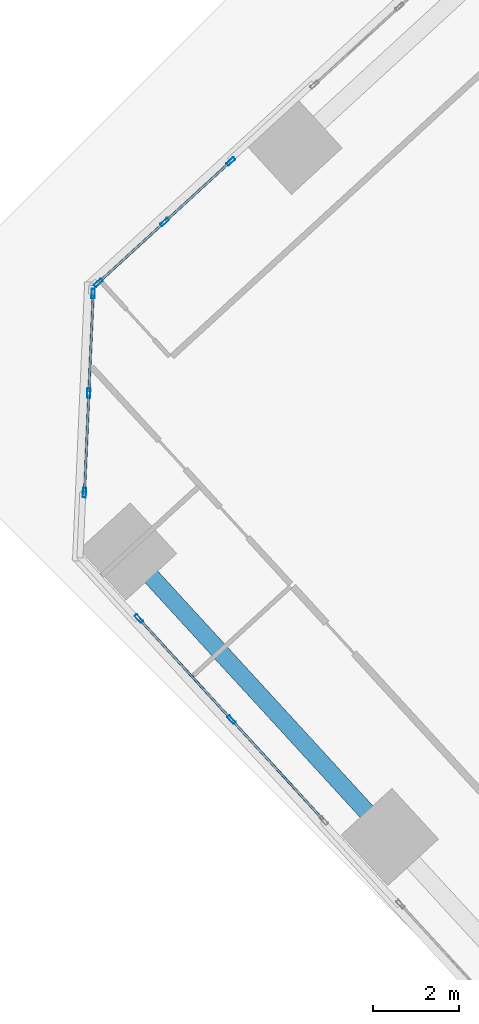
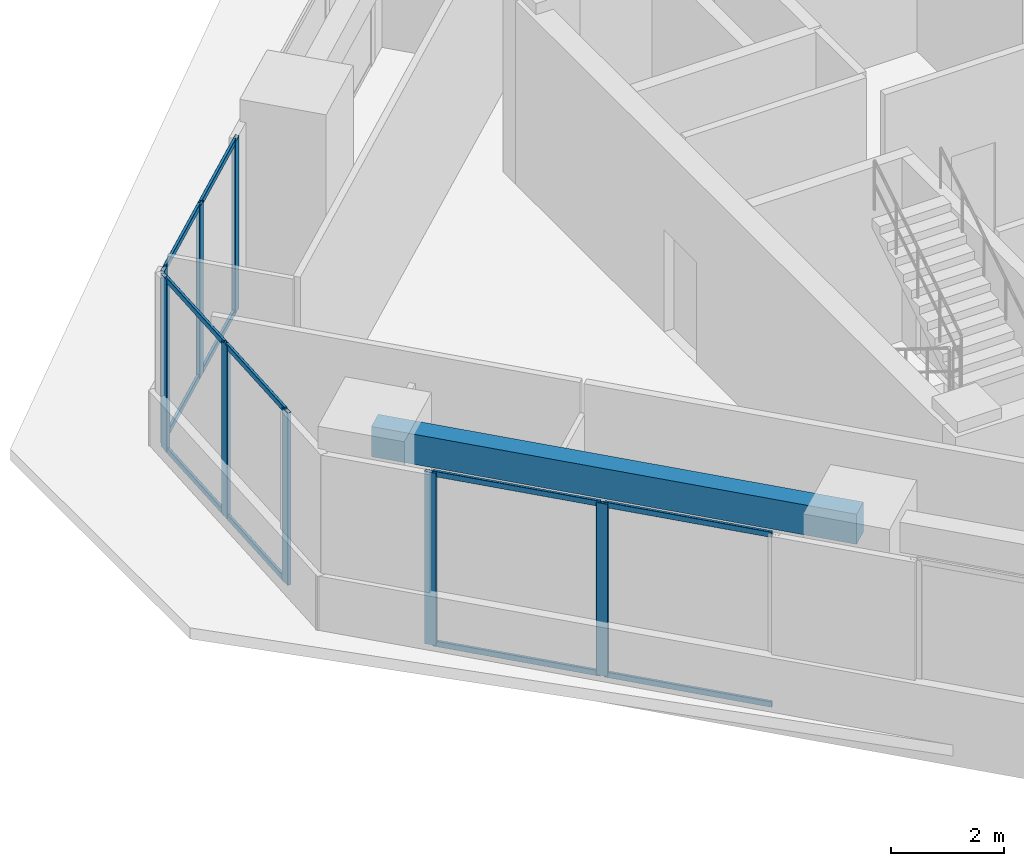
# One storey, part 4 of 17: 20 members, 1 beam, 3 elements without a shape of their own.
"""IFC4 building model written with IfcOpenShell, lengths in metres."""

import ifcopenshell
import ifcopenshell.guid

model = None  # the IFC model being written
_history = None  # IfcOwnerHistory: only IFC2X3 demands one
_inside = {}  # id of a spatial element -> (the spatial element, [elements in it])
_under = {}  # id of a project, library or spatial element -> (it, [spatial elements below it])
_declared = {}  # id of a project -> (the project, [libraries it declares])
_typed = {}  # id of a type object -> (the type object, [elements of that type])
_made_of = {}  # id of a material, layer set ... -> (it, [elements and type objects made of it])


def new_model(schema):
    """Start an empty IFC model of exactly this schema.

    Asked for "IFC4X3", IfcOpenShell would pick the latest addendum, in which some entities
    have other attributes; the version numbers below select the first issue.
    IFC2X3 requires an IfcOwnerHistory on every rooted entity: one is made here for all.
    """
    global model, _history
    if schema == "IFC4X3":
        model = ifcopenshell.file(schema_version=(4, 3, 0, 0))
    else:
        model = ifcopenshell.file(schema=schema)
    _inside.clear()
    _under.clear()
    _declared.clear()
    _typed.clear()
    _made_of.clear()
    _history = None
    if model.schema == "IFC2X3":
        org = make("IfcOrganization", Name="unknown")
        user = make(
            "IfcPersonAndOrganization",
            ThePerson=make("IfcPerson", FamilyName="unknown"),
            TheOrganization=org,
        )
        app = make(
            "IfcApplication",
            ApplicationDeveloper=org,
            Version="unknown",
            ApplicationFullName="unknown",
            ApplicationIdentifier="unknown",
        )
        _history = make(
            "IfcOwnerHistory",
            OwningUser=user,
            OwningApplication=app,
            ChangeAction="ADDED",
            CreationDate=0,
        )
    return model


def make(cls, **values):
    """One entity of the class cls with the attributes given. An attribute that is None is left unset."""
    return model.create_entity(
        cls, **{name: value for name, value in values.items() if value is not None}
    )


def rooted(cls, **values):
    """An entity with a GlobalId (a new one), such as an element, a storey or a relation."""
    return make(cls, GlobalId=ifcopenshell.guid.new(), OwnerHistory=_history, **values)


def si_unit(unit_type, name, prefix=None):
    """IfcSIUnit, for example si_unit("LENGTHUNIT", "METRE", prefix="MILLI")."""
    return make("IfcSIUnit", UnitType=unit_type, Prefix=prefix, Name=name)


def assignment(units):
    """IfcUnitAssignment: the units of a project."""
    return None if units is None else make("IfcUnitAssignment", Units=units)


def point(xyz):
    """IfcCartesianPoint."""
    return None if xyz is None else make("IfcCartesianPoint", Coordinates=xyz)


def direction(xyz):
    """IfcDirection."""
    return None if xyz is None else make("IfcDirection", DirectionRatios=xyz)


def frame(location, z_axis=None, x_axis=None):
    """IfcAxis2Placement3D, a coordinate frame: its origin and axes. An axis left out is left unset."""
    return make(
        "IfcAxis2Placement3D",
        Location=point(location),
        Axis=direction(z_axis),
        RefDirection=direction(x_axis),
    )


def frame_2d(location, x_axis=None):
    """IfcAxis2Placement2D, a coordinate frame in the plane: its origin and x axis."""
    return make(
        "IfcAxis2Placement2D", Location=point(location), RefDirection=direction(x_axis)
    )


def origin():
    """The frame at (0, 0, 0) with its axes left unset."""
    return frame((0.0, 0.0, 0.0))


def origin_2d():
    """The frame at (0, 0) in the plane with its x axis left unset."""
    return frame_2d((0.0, 0.0))


def place(relative_to, where):
    """IfcLocalPlacement: puts the frame where relative to a parent placement (None: the world)."""
    return make(
        "IfcLocalPlacement", PlacementRelTo=relative_to, RelativePlacement=where
    )


def context(
    kind, dimensions, precision=None, world=None, true_north=None, identifier=None
):
    """IfcGeometricRepresentationContext, for example the 3D "Model" context."""
    return make(
        "IfcGeometricRepresentationContext",
        ContextIdentifier=identifier,
        ContextType=kind,
        CoordinateSpaceDimension=dimensions,
        Precision=precision,
        WorldCoordinateSystem=world,
        TrueNorth=true_north,
    )


def subcontext(parent, identifier, kind, view, scale=None):
    """IfcGeometricRepresentationSubContext, for example "Body" below "Model"."""
    return make(
        "IfcGeometricRepresentationSubContext",
        ContextIdentifier=identifier,
        ContextType=kind,
        ParentContext=parent,
        TargetScale=scale,
        TargetView=view,
    )


def project(units=None, contexts=None):
    """IfcProject with its units and contexts."""
    return rooted(
        "IfcProject",
        Name="project",
        RepresentationContexts=contexts,
        UnitsInContext=assignment(units),
    )


def spatial(cls, under=None, at=None, **own):
    """A site, building, storey or space (cls), placed at a placement, below another one or the project."""
    s = rooted(cls, ObjectPlacement=at, **own)
    if under is not None:
        _under.setdefault(under.id(), (under, []))[1].append(s)
    return s


def profile(cls, at=None, kind="AREA", **sizes):
    """A parametric profile (cls). Its sizes go by their IFC names, for example OverallWidth=200.0."""
    return make(cls, ProfileType=kind, Position=at, **sizes)


def rectangle(**sizes):
    """IfcRectangleProfileDef."""
    return profile("IfcRectangleProfileDef", **sizes)


def hollow_rectangle(**sizes):
    """IfcRectangleHollowProfileDef."""
    return profile("IfcRectangleHollowProfileDef", **sizes)


def extrude(swept, where, along, depth):
    """IfcExtrudedAreaSolid: the profile swept, set in the frame where, extruded along a direction by depth."""
    return make(
        "IfcExtrudedAreaSolid",
        SweptArea=swept,
        Position=where,
        ExtrudedDirection=direction(along),
        Depth=depth,
    )


def shape(context_of_items, identifier, shape_type, items):
    """IfcShapeRepresentation: the items that make up one representation, for example the "Body"."""
    return make(
        "IfcShapeRepresentation",
        ContextOfItems=context_of_items,
        RepresentationIdentifier=identifier,
        RepresentationType=shape_type,
        Items=items,
    )


def source(mapping_origin, context_of_items, identifier, shape_type, items):
    """IfcRepresentationMap: a shape defined once, which mapped items show again and again."""
    return make(
        "IfcRepresentationMap",
        MappingOrigin=mapping_origin,
        MappedRepresentation=shape(context_of_items, identifier, shape_type, items),
    )


def transform(
    local_origin,
    x_axis=None,
    y_axis=None,
    z_axis=None,
    scale=None,
    scale2=None,
    scale3=None,
    uniform=True,
):
    """IfcCartesianTransformationOperator3D, or its non-uniform kind. x_axis, y_axis, z_axis: its Axis1, 2, 3."""
    if uniform:
        return make(
            "IfcCartesianTransformationOperator3D",
            Axis1=direction(x_axis),
            Axis2=direction(y_axis),
            LocalOrigin=point(local_origin),
            Scale=scale,
            Axis3=direction(z_axis),
        )
    return make(
        "IfcCartesianTransformationOperator3DnonUniform",
        Axis1=direction(x_axis),
        Axis2=direction(y_axis),
        LocalOrigin=point(local_origin),
        Scale=scale,
        Axis3=direction(z_axis),
        Scale2=scale2,
        Scale3=scale3,
    )


def mapped(mapping_source, mapping_target):
    """IfcMappedItem: shows the shape of a source again, moved by a transform."""
    return make(
        "IfcMappedItem", MappingSource=mapping_source, MappingTarget=mapping_target
    )


def material(Name=None, Category=None):
    """IfcMaterial."""
    return make("IfcMaterial", Name=Name, Category=Category)


def material_profile(
    of_material, cross_section, Name=None, Category=None, Priority=None
):
    """IfcMaterialProfile: a cross section and its material."""
    return make(
        "IfcMaterialProfile",
        Name=Name,
        Material=of_material,
        Profile=cross_section,
        Priority=Priority,
        Category=Category,
    )


def profile_set(profiles, Name=None, composite=None):
    """IfcMaterialProfileSet."""
    return make(
        "IfcMaterialProfileSet",
        Name=Name,
        MaterialProfiles=profiles,
        CompositeProfile=composite,
    )


def made_of(thing, what):
    """Note that an element or type object is made of a material, layer set ...; save() writes the relation."""
    if what is not None:
        _made_of.setdefault(what.id(), (what, []))[1].append(thing)
    return thing


def type_object(cls, material=None, **own):
    """A type object (cls), such as IfcWallType, which elements share."""
    return made_of(rooted(cls, **own), material)


def element(
    cls,
    number,
    at=None,
    inside=None,
    cuts=None,
    type_object=None,
    material=None,
    context=None,
    identifier="Body",
    shape_type=None,
    held_by="IfcProductDefinitionShape",
    body=None,
    shapes=None,
    **own,
):
    """One element of the class cls, such as IfcWall. Its Tag is "e" and its number.

    at: its placement. inside: the storey or other place that contains it. cuts: it is an
    opening in that element (IfcRelVoidsElement). A single representation is given by context,
    identifier, shape_type and body (its items); several are given by shapes. held_by: the class
    of the entity that holds the representations. save() writes the other relations.
    """
    e = rooted(cls, Tag="e%d" % number, ObjectPlacement=at, **own)
    if body is not None:
        shapes = [shape(context, identifier, shape_type, body)]
    if shapes is not None:
        e.Representation = make(held_by, Representations=shapes)
    if inside is not None:
        _inside.setdefault(inside.id(), (inside, []))[1].append(e)
    if cuts is not None:
        rooted(
            "IfcRelVoidsElement", RelatingBuildingElement=cuts, RelatedOpeningElement=e
        )
    if type_object is not None:
        _typed.setdefault(type_object.id(), (type_object, []))[1].append(e)
    return made_of(e, material)


def aggregate(whole, parts):
    """IfcRelAggregates: a whole, such as a stair, and the parts it consists of."""
    return rooted("IfcRelAggregates", RelatingObject=whole, RelatedObjects=parts)


def save(model, path):
    """Write the relations noted so far, then the file.

    IfcRelAggregates (storeys below a building ...), IfcRelContainedInSpatialStructure (elements
    in a storey), IfcRelDefinesByType, IfcRelAssociatesMaterial and IfcRelDeclares: one each for
    every whole, place, type object, material and project.
    """
    for whole, parts in _under.values():
        aggregate(whole, parts)
    for where, things in _inside.values():
        rooted(
            "IfcRelContainedInSpatialStructure",
            RelatedElements=things,
            RelatingStructure=where,
        )
    for kind, things in _typed.values():
        rooted("IfcRelDefinesByType", RelatedObjects=things, RelatingType=kind)
    for what, things in _made_of.values():
        rooted("IfcRelAssociatesMaterial", RelatedObjects=things, RelatingMaterial=what)
    for by, libraries in _declared.values():
        rooted("IfcRelDeclares", RelatingContext=by, RelatedDefinitions=libraries)
    model.write(path)


model = new_model("IFC4")

# Units and contexts
model_context = context("Model", 3, precision=1e-05, world=origin(), true_north=direction((0.0, 1.0)))
body_context = subcontext(model_context, "Body", "Model", "MODEL_VIEW")
ifc_project = project(units=[si_unit("LENGTHUNIT", "METRE"), si_unit("AREAUNIT", "SQUARE_METRE"), si_unit("VOLUMEUNIT", "CUBIC_METRE"), si_unit("PLANEANGLEUNIT", "RADIAN"), si_unit("MASSUNIT", "GRAM", prefix="KILO")], contexts=[model_context])

# Site, building, storey
site_placement = place(None, origin())
site = spatial("IfcSite", under=ifc_project, at=site_placement, CompositionType="ELEMENT")
building_placement = place(site_placement, origin())
building = spatial("IfcBuilding", under=site, at=building_placement, Name="Torre Montelarca", CompositionType="ELEMENT")
storey_placement = place(building_placement, frame((0.0, 0.0, 254.199951171875)))
storey = spatial("IfcBuildingStorey", under=building, at=storey_placement, Name="L57", CompositionType="ELEMENT", Elevation=254.199951171875)

# Beam
ifc_material_1 = material(Name="Concrete C40/50", Category="concrete")
ifc_material_profile_1 = material_profile(ifc_material_1, rectangle(XDim=0.39990234375, YDim=0.64990234375, at=origin_2d()), Name="RCB400X650", Category="concrete")
ifc_profile_set_1 = profile_set([ifc_material_profile_1], Name="Concrete C40/50")
beam_type = type_object("IfcBeamType", Name="BM-SP-RC650-EXT", PredefinedType="SPANDREL", material=ifc_profile_set_1)
shared_shape_1 = source(origin(), body_context, "Body", "SweptSolid", [
    extrude(rectangle(XDim=0.39990234375, YDim=0.64990234375, at=origin_2d()), origin(), (0.0, 0.0, 1.0), 9.0),
])
beam_placement = place(storey_placement, frame((0.3740234375, 29.595703125, 3.635009765625), z_axis=(0.675590724023, -0.73727686361, 0.0), x_axis=(0.73727686361, 0.675590724023, 0.0)))
element("IfcBeam", 1, at=beam_placement, inside=storey, type_object=beam_type, Name="L57 Grid Girder X 9.0-18.0 at Y=14.8", PredefinedType="SPANDREL", context=body_context, shape_type="MappedRepresentation", body=[
    mapped(shared_shape_1, transform((0.0, 0.0, 0.0), scale=1.0)),
])

# Curtain wall, members
ifc_material_2 = material(Name="Insulated low-E laminated glass", Category="glass")
curtain_wall_type = type_object("IfcCurtainWallType", Name="CW-SYS-Z3", PredefinedType="USERDEFINED", material=ifc_material_2)
curtain_wall_1_placement = place(storey_placement, origin())
curtain_wall_1 = element("IfcCurtainWall", 2, at=curtain_wall_1_placement, inside=storey, type_object=curtain_wall_type, Name="L57 Curtain Wall Run CW-T3-L57-E01-B1", ObjectType="UNITISED GLAZING", PredefinedType="USERDEFINED")
ifc_material_3 = material(Name="Anodised aluminium AA 6063-T6", Category="aluminium")
ifc_material_profile_2 = material_profile(ifc_material_3, hollow_rectangle(XDim=0.074951171875, YDim=0.219970703125, WallThickness=0.0048828125, InnerFilletRadius=0.0048828125, OuterFilletRadius=0.010009765625, at=origin_2d()), Name="ALU75X220X5", Category="aluminium")
ifc_profile_set_2 = profile_set([ifc_material_profile_2], Name="Anodised aluminium AA 6063-T6")
member_type_1 = type_object("IfcMemberType", Name="CWM-ALU220", PredefinedType="MULLION", material=ifc_profile_set_2)
shared_shape_2 = source(origin(), body_context, "Body", "SweptSolid", [
    extrude(hollow_rectangle(XDim=0.074951171875, YDim=0.219970703125, WallThickness=0.0048828125, InnerFilletRadius=0.0048828125, OuterFilletRadius=0.010009765625, at=origin_2d()), origin(), (0.0, 0.0, 1.0), 3.719970703125),
])
member_1_placement = place(storey_placement, frame((0.62255859375, 28.03662109375, 0.0), z_axis=(0.0, 0.0, 1.0), x_axis=(0.737279815472, 0.675587502621, 0.0)))
member_1 = element("IfcMember", 3, at=member_1_placement, type_object=member_type_1, Name="CW mullion 1", PredefinedType="MULLION", context=body_context, shape_type="MappedRepresentation", body=[
    mapped(shared_shape_2, transform((0.0, 0.0, 0.0), scale=1.0)),
])
member_2_placement = place(storey_placement, frame((2.772705078125, 25.690185546875, 0.0), z_axis=(0.0, 0.0, 1.0), x_axis=(0.737279815472, 0.675587502621, 0.0)))
member_2 = element("IfcMember", 4, at=member_2_placement, type_object=member_type_1, Name="CW mullion 2", PredefinedType="MULLION", context=body_context, shape_type="MappedRepresentation", body=[
    mapped(shared_shape_2, transform((0.0, 0.0, 0.0), scale=1.0)),
])

curtain_wall_2_placement = place(storey_placement, origin())
curtain_wall_2 = element("IfcCurtainWall", 5, at=curtain_wall_2_placement, inside=storey, type_object=curtain_wall_type, Name="L57 Curtain Wall Run CW-T3-L57-E10-B3", ObjectType="UNITISED GLAZING", PredefinedType="USERDEFINED")
member_3_placement = place(storey_placement, frame((2.76025390625, 38.6591796875, 0.0), z_axis=(0.0, 0.0, 1.0), x_axis=(0.675581984074, -0.737284872213, 0.0)))
member_3 = element("IfcMember", 6, at=member_3_placement, type_object=member_type_1, Name="CW mullion 1", PredefinedType="MULLION", context=body_context, shape_type="MappedRepresentation", body=[
    mapped(shared_shape_2, transform((0.0, 0.0, 0.0), scale=1.0)),
])
member_4_placement = place(storey_placement, frame((1.2197265625, 37.24755859375, 0.0), z_axis=(0.0, 0.0, 1.0), x_axis=(0.675581984074, -0.737284872213, 0.0)))
member_4 = element("IfcMember", 7, at=member_4_placement, type_object=member_type_1, Name="CW mullion 2", PredefinedType="MULLION", context=body_context, shape_type="MappedRepresentation", body=[
    mapped(shared_shape_2, transform((0.0, 0.0, 0.0), scale=1.0)),
])
member_5_placement = place(storey_placement, frame((-0.321044921875, 35.835693359375, 0.0), z_axis=(0.0, 0.0, 1.0), x_axis=(0.675581984074, -0.737284872213, 0.0)))
member_5 = element("IfcMember", 8, at=member_5_placement, type_object=member_type_1, Name="CW mullion 3", PredefinedType="MULLION", context=body_context, shape_type="MappedRepresentation", body=[
    mapped(shared_shape_2, transform((0.0, 0.0, 0.0), scale=1.0)),
])

curtain_wall_3_placement = place(storey_placement, origin())
curtain_wall_3 = element("IfcCurtainWall", 9, at=curtain_wall_3_placement, inside=storey, type_object=curtain_wall_type, Name="L57 Curtain Wall Run CW-T3-L57-E11-B1", ObjectType="UNITISED GLAZING", PredefinedType="USERDEFINED")
member_6_placement = place(storey_placement, frame((-0.437744140625, 35.58544921875, 0.0), z_axis=(0.0, 0.0, 1.0), x_axis=(0.999047921126, -0.043626268384, 0.0)))
member_6 = element("IfcMember", 10, at=member_6_placement, type_object=member_type_1, Name="CW mullion 1", PredefinedType="MULLION", context=body_context, shape_type="MappedRepresentation", body=[
    mapped(shared_shape_2, transform((0.0, 0.0, 0.0), scale=1.0)),
])
member_7_placement = place(storey_placement, frame((-0.53857421875, 33.272216796875, 0.0), z_axis=(0.0, 0.0, 1.0), x_axis=(0.999047921126, -0.043626268384, 0.0)))
member_7 = element("IfcMember", 11, at=member_7_placement, type_object=member_type_1, Name="CW mullion 2", PredefinedType="MULLION", context=body_context, shape_type="MappedRepresentation", body=[
    mapped(shared_shape_2, transform((0.0, 0.0, 0.0), scale=1.0)),
])
member_8_placement = place(storey_placement, frame((-0.6396484375, 30.958984375, 0.0), z_axis=(0.0, 0.0, 1.0), x_axis=(0.999047921126, -0.043626268384, 0.0)))
member_8 = element("IfcMember", 12, at=member_8_placement, type_object=member_type_1, Name="CW mullion 3", PredefinedType="MULLION", context=body_context, shape_type="MappedRepresentation", body=[
    mapped(shared_shape_2, transform((0.0, 0.0, 0.0), scale=1.0)),
])

# Member
ifc_material_profile_3 = material_profile(ifc_material_3, hollow_rectangle(XDim=0.054931640625, YDim=0.1201171875, WallThickness=0.00341796875, InnerFilletRadius=0.00341796875, OuterFilletRadius=0.007080078125, at=origin_2d()), Name="ALU55X120X3.5", Category="aluminium")
ifc_profile_set_3 = profile_set([ifc_material_profile_3], Name="Anodised aluminium AA 6063-T6")
member_type_2 = type_object("IfcMemberType", Name="CWT-ALU120", PredefinedType="USERDEFINED", material=ifc_profile_set_3)
shared_shape_3 = source(origin(), body_context, "Body", "SweptSolid", [
    extrude(hollow_rectangle(XDim=0.054931640625, YDim=0.1201171875, WallThickness=0.00341796875, InnerFilletRadius=0.00341796875, OuterFilletRadius=0.007080078125, at=origin_2d()), origin(), (0.0, 0.0, 1.0), 3.107421875),
])
member_9_placement = place(storey_placement, frame((0.64794921875, 28.009033203125, 0.027587890625), z_axis=(0.675596539491, -0.737271534665, 0.0), x_axis=(0.737271534665, 0.675596539491, 0.0)))
member_9 = element("IfcMember", 13, at=member_9_placement, type_object=member_type_2, Name="CW transom 1.1", ObjectType="TRANSOM", PredefinedType="USERDEFINED", context=body_context, shape_type="MappedRepresentation", body=[
    mapped(shared_shape_3, transform((0.0, 0.0, 0.0), scale=1.0)),
])

member_10_placement = place(storey_placement, frame((0.64794921875, 28.009033203125, 3.692626953125), z_axis=(0.675596539491, -0.737271534665, 0.0), x_axis=(0.737271534665, 0.675596539491, 0.0)))
member_10 = element("IfcMember", 14, at=member_10_placement, type_object=member_type_2, Name="CW transom 1.2", ObjectType="TRANSOM", PredefinedType="USERDEFINED", context=body_context, shape_type="MappedRepresentation", body=[
    mapped(shared_shape_3, transform((0.0, 0.0, 0.0), scale=1.0)),
])

member_11_placement = place(storey_placement, frame((2.798095703125, 25.66259765625, 0.027587890625), z_axis=(0.675596539491, -0.737271534665, 0.0), x_axis=(0.737271534665, 0.675596539491, 0.0)))
member_11 = element("IfcMember", 15, at=member_11_placement, type_object=member_type_2, Name="CW transom 2.1", ObjectType="TRANSOM", PredefinedType="USERDEFINED", context=body_context, shape_type="MappedRepresentation", body=[
    mapped(shared_shape_3, transform((0.0, 0.0, 0.0), scale=1.0)),
])

member_12_placement = place(storey_placement, frame((2.798095703125, 25.66259765625, 3.692626953125), z_axis=(0.675596539491, -0.737271534665, 0.0), x_axis=(0.737271534665, 0.675596539491, 0.0)))
member_12 = element("IfcMember", 16, at=member_12_placement, type_object=member_type_2, Name="CW transom 2.2", ObjectType="TRANSOM", PredefinedType="USERDEFINED", context=body_context, shape_type="MappedRepresentation", body=[
    mapped(shared_shape_3, transform((0.0, 0.0, 0.0), scale=1.0)),
])

aggregate(curtain_wall_1, [member_1, member_2, member_9, member_10, member_11, member_12])

shared_shape_4 = source(origin(), body_context, "Body", "SweptSolid", [
    extrude(hollow_rectangle(XDim=0.054931640625, YDim=0.1201171875, WallThickness=0.00341796875, InnerFilletRadius=0.00341796875, OuterFilletRadius=0.007080078125, at=origin_2d()), origin(), (0.0, 0.0, 1.0), 2.240478515625),
])
member_13_placement = place(storey_placement, frame((-0.439208984375, 35.5478515625, 0.027587890625), z_axis=(-0.043697313623, -0.999044816203, 0.0), x_axis=(0.999044816203, -0.043697313623, 0.0)))
member_13 = element("IfcMember", 17, at=member_13_placement, type_object=member_type_2, Name="CW transom 1.1", ObjectType="TRANSOM", PredefinedType="USERDEFINED", context=body_context, shape_type="MappedRepresentation", body=[
    mapped(shared_shape_4, transform((0.0, 0.0, 0.0), scale=1.0)),
])

member_14_placement = place(storey_placement, frame((-0.439208984375, 35.5478515625, 3.692626953125), z_axis=(-0.043697313623, -0.999044816203, 0.0), x_axis=(0.999044816203, -0.043697313623, 0.0)))
member_14 = element("IfcMember", 18, at=member_14_placement, type_object=member_type_2, Name="CW transom 1.2", ObjectType="TRANSOM", PredefinedType="USERDEFINED", context=body_context, shape_type="MappedRepresentation", body=[
    mapped(shared_shape_4, transform((0.0, 0.0, 0.0), scale=1.0)),
])

member_15_placement = place(storey_placement, frame((-0.540283203125, 33.234619140625, 0.027587890625), z_axis=(-0.043588550065, -0.999049567491, 0.0), x_axis=(0.999049567491, -0.043588550065, 0.0)))
member_15 = element("IfcMember", 19, at=member_15_placement, type_object=member_type_2, Name="CW transom 2.1", ObjectType="TRANSOM", PredefinedType="USERDEFINED", context=body_context, shape_type="MappedRepresentation", body=[
    mapped(shared_shape_4, transform((0.0, 0.0, 0.0), scale=1.0)),
])

member_16_placement = place(storey_placement, frame((-0.540283203125, 33.234619140625, 3.692626953125), z_axis=(-0.043588550065, -0.999049567491, 0.0), x_axis=(0.999049567491, -0.043588550065, 0.0)))
member_16 = element("IfcMember", 20, at=member_16_placement, type_object=member_type_2, Name="CW transom 2.2", ObjectType="TRANSOM", PredefinedType="USERDEFINED", context=body_context, shape_type="MappedRepresentation", body=[
    mapped(shared_shape_4, transform((0.0, 0.0, 0.0), scale=1.0)),
])

aggregate(curtain_wall_3, [member_6, member_7, member_8, member_13, member_14, member_15, member_16])

shared_shape_5 = source(origin(), body_context, "Body", "SweptSolid", [
    extrude(hollow_rectangle(XDim=0.054931640625, YDim=0.1201171875, WallThickness=0.00341796875, InnerFilletRadius=0.00341796875, OuterFilletRadius=0.007080078125, at=origin_2d()), origin(), (0.0, 0.0, 1.0), 2.0146484375),
])
member_17_placement = place(storey_placement, frame((2.732666015625, 38.6337890625, 0.027587890625), z_axis=(-0.737274853729, -0.675592917413, 0.0), x_axis=(0.675592917413, -0.737274853729, 0.0)))
member_17 = element("IfcMember", 21, at=member_17_placement, type_object=member_type_2, Name="CW transom 1.1", ObjectType="TRANSOM", PredefinedType="USERDEFINED", context=body_context, shape_type="MappedRepresentation", body=[
    mapped(shared_shape_5, transform((0.0, 0.0, 0.0), scale=1.0)),
])

member_18_placement = place(storey_placement, frame((2.732666015625, 38.6337890625, 3.692626953125), z_axis=(-0.737274853729, -0.675592917413, 0.0), x_axis=(0.675592917413, -0.737274853729, 0.0)))
member_18 = element("IfcMember", 22, at=member_18_placement, type_object=member_type_2, Name="CW transom 1.2", ObjectType="TRANSOM", PredefinedType="USERDEFINED", context=body_context, shape_type="MappedRepresentation", body=[
    mapped(shared_shape_5, transform((0.0, 0.0, 0.0), scale=1.0)),
])

member_19_placement = place(storey_placement, frame((1.192138671875, 37.22216796875, 0.027587890625), z_axis=(-0.737274853729, -0.675592917413, 0.0), x_axis=(0.675592917413, -0.737274853729, 0.0)))
member_19 = element("IfcMember", 23, at=member_19_placement, type_object=member_type_2, Name="CW transom 2.1", ObjectType="TRANSOM", PredefinedType="USERDEFINED", context=body_context, shape_type="MappedRepresentation", body=[
    mapped(shared_shape_5, transform((0.0, 0.0, 0.0), scale=1.0)),
])

member_20_placement = place(storey_placement, frame((1.192138671875, 37.22216796875, 3.692626953125), z_axis=(-0.737274853729, -0.675592917413, 0.0), x_axis=(0.675592917413, -0.737274853729, 0.0)))
member_20 = element("IfcMember", 24, at=member_20_placement, type_object=member_type_2, Name="CW transom 2.2", ObjectType="TRANSOM", PredefinedType="USERDEFINED", context=body_context, shape_type="MappedRepresentation", body=[
    mapped(shared_shape_5, transform((0.0, 0.0, 0.0), scale=1.0)),
])

aggregate(curtain_wall_2, [member_3, member_4, member_5, member_17, member_18, member_19, member_20])

save(model, "model.ifc")
